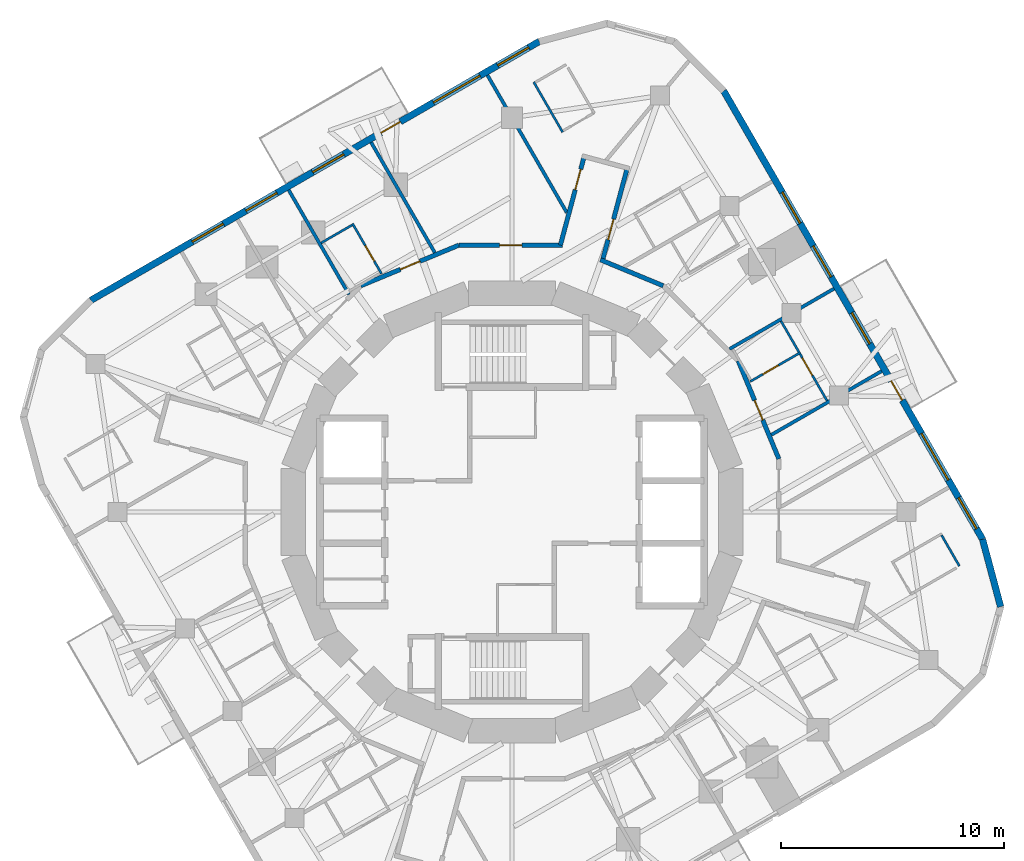
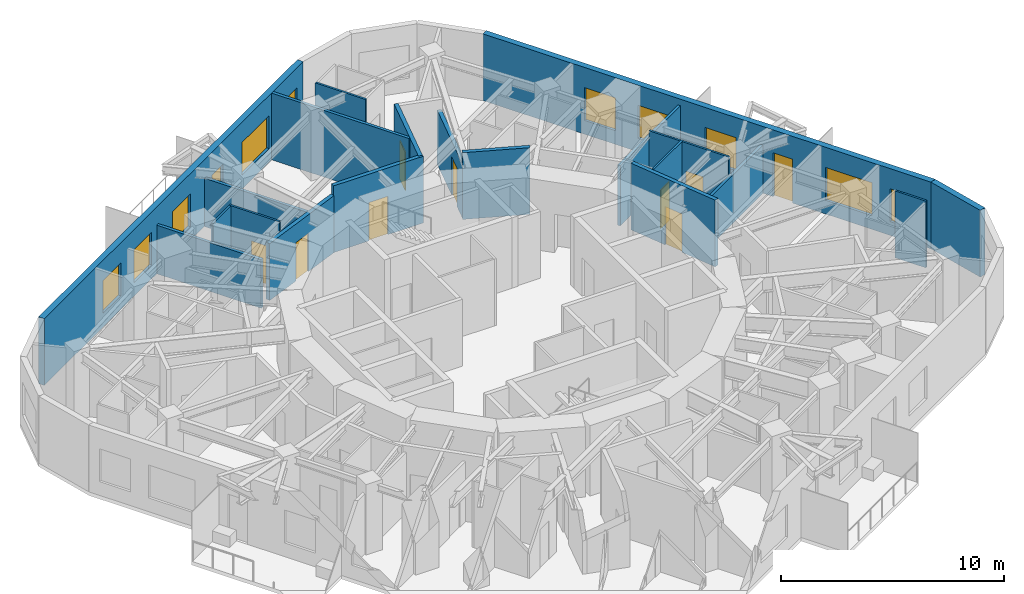
# One storey, part 8 of 11: 21 walls, 10 doors, 10 windows, 20 openings.
"""IFC4 building model written with IfcOpenShell, lengths in metres."""

from ifc_helpers import new_model, si_unit, direction, frame, frame_2d, origin, place, context, subcontext, project, spatial, rectangle, extrude, material, layer, layer_set, type_object, element, fill, save


model = new_model("IFC4")

# Units and contexts
model_context = context("Model", 3, precision=1e-05, world=origin(), true_north=direction((0.0, 1.0)))
body_context = subcontext(model_context, "Body", "Model", "MODEL_VIEW")
ifc_project = project(units=[si_unit("LENGTHUNIT", "METRE"), si_unit("AREAUNIT", "SQUARE_METRE"), si_unit("VOLUMEUNIT", "CUBIC_METRE"), si_unit("PLANEANGLEUNIT", "RADIAN"), si_unit("MASSUNIT", "GRAM", prefix="KILO")], contexts=[model_context])

# Site, building, storey
site_placement = place(None, origin())
site = spatial("IfcSite", under=ifc_project, at=site_placement, CompositionType="ELEMENT")
building_placement = place(site_placement, origin())
building = spatial("IfcBuilding", under=site, at=building_placement, Name="Nakasero Lantern House", CompositionType="ELEMENT")
storey_placement = place(building_placement, frame((0.0, 0.0, 238.5)))
storey = spatial("IfcBuildingStorey", under=building, at=storey_placement, Name="L58", CompositionType="ELEMENT", Elevation=238.5)

# Wall, opening, door
ifc_material_1 = material(Name="Blockwork", Category="masonry")
ifc_layer_1 = layer(ifc_material_1, 0.199951171875)
ifc_layer_set_1 = layer_set([ifc_layer_1], Name="Corridor wall 200")
wall_type_1 = type_object("IfcWallType", Name="Corridor wall 200", PredefinedType="PARTITIONING", material=ifc_layer_set_1)
wall_1_placement = place(storey_placement, frame((-6.773681640625, 10.137451171875, 0.0), z_axis=(0.0, 0.0, 1.0), x_axis=(0.923891735412, 0.382653970627, 0.0)))
wall_1 = element("IfcWall", 1, at=wall_1_placement, inside=storey, type_object=wall_type_1, Name="Corridor wall L58 RC11a", PredefinedType="PARTITIONING", context=body_context, shape_type="SweptSolid", body=[
    extrude(rectangle(XDim=4.757080078125, YDim=0.199951171875, at=frame_2d((2.37841796875, 0.0))), origin(), (0.0, 0.0, 1.0), 3.11328125),
])
opening_1_placement = place(wall_1_placement, frame((1.919921875, 0.0, 0.0)))
opening_1 = element("IfcOpeningElement", 2, at=opening_1_placement, cuts=wall_1, Name="Opening D01", PredefinedType="OPENING", context=body_context, shape_type="SweptSolid", body=[
    extrude(rectangle(XDim=0.949951171875, YDim=2.10009765625, at=frame_2d((0.47509765625, 1.050048828125))), frame((0.0, 0.119873046875, 0.0), z_axis=(0.0, -1.0, 0.0), x_axis=(1.0, 0.0, 0.0)), (0.0, 0.0, 1.0), 0.239990234375),
])
ifc_material_2 = material(Name="Timber C24", Category="wood")
door_type_1 = type_object("IfcDoorType", Name="Bedroom door FD30S 950", OperationType="SINGLE_SWING_LEFT", PredefinedType="DOOR", material=ifc_material_2)
door_1_placement = place(opening_1_placement, origin())
door_1 = element("IfcDoor", 3, at=door_1_placement, inside=storey, type_object=door_type_1, Name="Door L58 D1-03", OperationType="SINGLE_SWING_RIGHT", OverallHeight=2.10009765625, OverallWidth=0.949951171875, PredefinedType="DOOR", context=body_context, shape_type="SweptSolid", body=[
    extrude(rectangle(XDim=0.949951171875, YDim=2.10009765625, at=frame_2d((0.47509765625, 1.050048828125))), frame((0.0, 0.02490234375, 0.0), z_axis=(0.0, -1.0, 0.0), x_axis=(1.0, 0.0, 0.0)), (0.0, 0.0, 1.0), 0.050048828125),
])
fill(opening_1, door_1)

wall_2_placement = place(storey_placement, frame((-2.378662109375, 11.957763671875, 0.0), z_axis=(0.0, 0.0, 1.0), x_axis=(1.0, 0.0, 0.0)))
wall_2 = element("IfcWall", 4, at=wall_2_placement, inside=storey, type_object=wall_type_1, Name="Corridor wall L58 RC12a", PredefinedType="PARTITIONING", context=body_context, shape_type="SweptSolid", body=[
    extrude(rectangle(XDim=4.651123046875, YDim=0.199951171875, at=frame_2d((2.32568359375, 0.0))), origin(), (0.0, 0.0, 1.0), 3.64990234375),
])
opening_2_placement = place(wall_2_placement, frame((1.820068359375, 0.0, 0.0)))
opening_2 = element("IfcOpeningElement", 5, at=opening_2_placement, cuts=wall_2, Name="Opening D03", PredefinedType="OPENING", context=body_context, shape_type="SweptSolid", body=[
    extrude(rectangle(XDim=1.0, YDim=2.10009765625, at=frame_2d((0.5, 1.050048828125))), frame((0.0, 0.119873046875, 0.0), z_axis=(0.0, -1.0, 0.0), x_axis=(1.0, 0.0, 0.0)), (0.0, 0.0, 1.0), 0.239990234375),
])
ifc_material_3 = material(Name="Timber C24", Category="wood")
door_type_2 = type_object("IfcDoorType", Name="Lounge door FD30S 1000", OperationType="SINGLE_SWING_LEFT", PredefinedType="DOOR", material=ifc_material_3)
door_2_placement = place(opening_2_placement, origin())
door_2 = element("IfcDoor", 6, at=door_2_placement, inside=storey, type_object=door_type_2, Name="Door L58 DK1", OperationType="SINGLE_SWING_LEFT", OverallHeight=2.10009765625, OverallWidth=1.0, PredefinedType="DOOR", context=body_context, shape_type="SweptSolid", body=[
    extrude(rectangle(XDim=1.0, YDim=2.10009765625, at=frame_2d((0.5, 1.050048828125))), frame((0.0, 0.02490234375, 0.0), z_axis=(0.0, -1.0, 0.0), x_axis=(1.0, 0.0, 0.0)), (0.0, 0.0, 1.0), 0.050048828125),
])
fill(opening_2, door_2)

# Wall
wall_3_placement = place(storey_placement, frame((3.960205078125, 11.302734375, 0.0), z_axis=(0.0, 0.0, 1.0), x_axis=(0.923890787601, -0.382656259044, 0.0)))
element("IfcWall", 7, at=wall_3_placement, inside=storey, type_object=wall_type_1, Name="Corridor wall L58 RC13a", PredefinedType="PARTITIONING", context=body_context, shape_type="SweptSolid", body=[
    extrude(rectangle(XDim=3.045166015625, YDim=0.199951171875, at=frame_2d((1.5224609375, 0.0))), origin(), (0.0, 0.0, 1.0), 3.64990234375),
])

# Wall, opening, door
wall_4_placement = place(storey_placement, frame((10.137451171875, 6.773681640625, 0.0), z_axis=(0.0, 0.0, 1.0), x_axis=(0.382653970627, -0.923891735412, 0.0)))
wall_4 = element("IfcWall", 8, at=wall_4_placement, inside=storey, type_object=wall_type_1, Name="Corridor wall L58 RC15a", PredefinedType="PARTITIONING", context=body_context, shape_type="SweptSolid", body=[
    extrude(rectangle(XDim=4.757080078125, YDim=0.199951171875, at=frame_2d((2.37841796875, 0.0))), origin(), (0.0, 0.0, 1.0), 3.64990234375),
])
opening_3_placement = place(wall_4_placement, frame((1.919921875, 0.0, 0.0)))
opening_3 = element("IfcOpeningElement", 9, at=opening_3_placement, cuts=wall_4, Name="Opening D01", PredefinedType="OPENING", context=body_context, shape_type="SweptSolid", body=[
    extrude(rectangle(XDim=0.949951171875, YDim=2.10009765625, at=frame_2d((0.47509765625, 1.050048828125))), frame((0.0, 0.119873046875, 0.0), z_axis=(0.0, -1.0, 0.0), x_axis=(1.0, 0.0, 0.0)), (0.0, 0.0, 1.0), 0.239990234375),
])
door_3_placement = place(opening_3_placement, origin())
door_3 = element("IfcDoor", 10, at=door_3_placement, inside=storey, type_object=door_type_1, Name="Door L58 D0-03", OperationType="SINGLE_SWING_RIGHT", OverallHeight=2.10009765625, OverallWidth=0.949951171875, PredefinedType="DOOR", context=body_context, shape_type="SweptSolid", body=[
    extrude(rectangle(XDim=0.949951171875, YDim=2.10009765625, at=frame_2d((0.47509765625, 1.050048828125))), frame((0.0, 0.02490234375, 0.0), z_axis=(0.0, -1.0, 0.0), x_axis=(1.0, 0.0, 0.0)), (0.0, 0.0, 1.0), 0.050048828125),
])
fill(opening_3, door_3)

wall_5_placement = place(storey_placement, frame((4.053466796875, 11.26416015625, 0.0), z_axis=(0.0, 0.0, 1.0), x_axis=(0.258841611204, 0.965919779438, 0.0)))
wall_5 = element("IfcWall", 11, at=wall_5_placement, inside=storey, type_object=wall_type_1, Name="Corridor wall L58 SP0a", PredefinedType="PARTITIONING", context=body_context, shape_type="SweptSolid", body=[
    extrude(rectangle(XDim=4.394287109375, YDim=0.199951171875, at=frame_2d((2.197265625, 0.0))), origin(), (0.0, 0.0, 1.0), 2.95703125),
])
opening_4_placement = place(wall_5_placement, frame((0.969970703125, 0.0, 0.0)))
opening_4 = element("IfcOpeningElement", 12, at=opening_4_placement, cuts=wall_5, Name="Opening D01", PredefinedType="OPENING", context=body_context, shape_type="SweptSolid", body=[
    extrude(rectangle(XDim=0.949951171875, YDim=2.10009765625, at=frame_2d((0.47509765625, 1.050048828125))), frame((0.0, 0.119873046875, 0.0), z_axis=(0.0, -1.0, 0.0), x_axis=(1.0, 0.0, 0.0)), (0.0, 0.0, 1.0), 0.239990234375),
])
door_4_placement = place(opening_4_placement, origin())
door_4 = element("IfcDoor", 13, at=door_4_placement, inside=storey, type_object=door_type_1, Name="Door L58 D0-06", OperationType="SINGLE_SWING_LEFT", OverallHeight=2.10009765625, OverallWidth=0.949951171875, PredefinedType="DOOR", context=body_context, shape_type="SweptSolid", body=[
    extrude(rectangle(XDim=0.949951171875, YDim=2.10009765625, at=frame_2d((0.47509765625, 1.050048828125))), frame((0.0, 0.02490234375, 0.0), z_axis=(0.0, -1.0, 0.0), x_axis=(1.0, 0.0, 0.0)), (0.0, 0.0, 1.0), 0.050048828125),
])
fill(opening_4, door_4)

wall_6_placement = place(storey_placement, frame((2.168701171875, 11.957763671875, 0.0), z_axis=(0.0, 0.0, 1.0), x_axis=(0.258852936168, 0.965916744568, 0.0)))
wall_6 = element("IfcWall", 14, at=wall_6_placement, inside=storey, type_object=wall_type_1, Name="Corridor wall L58 SP0b", PredefinedType="PARTITIONING", context=body_context, shape_type="SweptSolid", body=[
    extrude(rectangle(XDim=4.212158203125, YDim=0.199951171875, at=frame_2d((2.10595703125, 0.0))), origin(), (0.0, 0.0, 1.0), 3.64990234375),
])
opening_5_placement = place(wall_6_placement, frame((2.570068359375, 0.0, 0.0)))
opening_5 = element("IfcOpeningElement", 15, at=opening_5_placement, cuts=wall_6, Name="Opening D01", PredefinedType="OPENING", context=body_context, shape_type="SweptSolid", body=[
    extrude(rectangle(XDim=0.949951171875, YDim=2.10009765625, at=frame_2d((0.47509765625, 1.050048828125))), frame((0.0, 0.119873046875, 0.0), z_axis=(0.0, -1.0, 0.0), x_axis=(1.0, 0.0, 0.0)), (0.0, 0.0, 1.0), 0.239990234375),
])
door_5_placement = place(opening_5_placement, origin())
door_5 = element("IfcDoor", 16, at=door_5_placement, inside=storey, type_object=door_type_1, Name="Door L58 D1-00", OperationType="SINGLE_SWING_RIGHT", OverallHeight=2.10009765625, OverallWidth=0.949951171875, PredefinedType="DOOR", context=body_context, shape_type="SweptSolid", body=[
    extrude(rectangle(XDim=0.949951171875, YDim=2.10009765625, at=frame_2d((0.47509765625, 1.050048828125))), frame((0.0, 0.02490234375, 0.0), z_axis=(0.0, -1.0, 0.0), x_axis=(1.0, 0.0, 0.0)), (0.0, 0.0, 1.0), 0.050048828125),
])
fill(opening_5, door_5)

# Wall
ifc_material_4 = material(Name="Blockwork", Category="masonry")
ifc_layer_2 = layer(ifc_material_4, 0.10009765625)
ifc_layer_set_2 = layer_set([ifc_layer_2], Name="En-suite wall 100")
wall_type_2 = type_object("IfcWallType", Name="En-suite wall 100", PredefinedType="PARTITIONING", material=ifc_layer_set_2)
wall_7_placement = place(storey_placement, frame((20.048828125, -2.425537109375, 0.0), z_axis=(0.0, 0.0, 1.0), x_axis=(-0.500061482766, 0.865989903783, 0.0)))
element("IfcWall", 17, at=wall_7_placement, inside=storey, type_object=wall_type_2, Name="En-suite wall L58 EE0-00", PredefinedType="PARTITIONING", context=body_context, shape_type="SweptSolid", body=[
    extrude(rectangle(XDim=1.599853515625, YDim=0.10009765625, at=frame_2d((0.7998046875, 0.0))), origin(), (0.0, 0.0, 1.0), 3.64990234375),
])

# Wall, opening, door
wall_8_placement = place(storey_placement, frame((10.674560546875, 5.846435546875, 0.0), z_axis=(0.0, 0.0, 1.0), x_axis=(0.866021400173, 0.500006934395, 0.0)))
wall_8 = element("IfcWall", 18, at=wall_8_placement, inside=storey, type_object=wall_type_2, Name="En-suite wall L58 ES0-03", PredefinedType="PARTITIONING", context=body_context, shape_type="SweptSolid", body=[
    extrude(rectangle(XDim=2.60009765625, YDim=0.10009765625, at=frame_2d((1.300048828125, 0.0))), origin(), (0.0, 0.0, 1.0), 3.64990234375),
])
opening_6_placement = place(wall_8_placement, frame((0.64990234375, 0.0, 0.0)))
opening_6 = element("IfcOpeningElement", 19, at=opening_6_placement, cuts=wall_8, Name="Opening D02", PredefinedType="OPENING", context=body_context, shape_type="SweptSolid", body=[
    extrude(rectangle(XDim=0.800048828125, YDim=2.10009765625, at=frame_2d((0.39990234375, 1.050048828125))), frame((0.0, 0.070068359375, 0.0), z_axis=(0.0, -1.0, 0.0), x_axis=(1.0, 0.0, 0.0)), (0.0, 0.0, 1.0), 0.14013671875),
])
ifc_material_5 = material(Name="Timber C24", Category="wood")
door_type_3 = type_object("IfcDoorType", Name="En-suite door 800", OperationType="SINGLE_SWING_RIGHT", PredefinedType="DOOR", material=ifc_material_5)
door_6_placement = place(opening_6_placement, origin())
door_6 = element("IfcDoor", 20, at=door_6_placement, inside=storey, type_object=door_type_3, Name="Door L58 DE0-03", OperationType="SINGLE_SWING_LEFT", OverallHeight=2.10009765625, OverallWidth=0.800048828125, PredefinedType="DOOR", context=body_context, shape_type="SweptSolid", body=[
    extrude(rectangle(XDim=0.800048828125, YDim=2.10009765625, at=frame_2d((0.39990234375, 1.050048828125))), frame((0.0, 0.02490234375, 0.0), z_axis=(0.0, -1.0, 0.0), x_axis=(1.0, 0.0, 0.0)), (0.0, 0.0, 1.0), 0.050048828125),
])
fill(opening_6, door_6)

# Walls
wall_9_placement = place(storey_placement, frame((12.85791015625, 7.164794921875, 0.0), z_axis=(0.0, 0.0, 1.0), x_axis=(-0.499880961361, 0.866094119867, 0.0)))
element("IfcWall", 21, at=wall_9_placement, inside=storey, type_object=wall_type_2, Name="En-suite wall L58 EE0-03", PredefinedType="PARTITIONING", context=body_context, shape_type="SweptSolid", body=[
    extrude(rectangle(XDim=1.60009765625, YDim=0.10009765625, at=frame_2d((0.800048828125, 0.0))), origin(), (0.0, 0.0, 1.0), 3.64990234375),
])
wall_10_placement = place(storey_placement, frame((2.271728515625, 17.015380859375, 0.0), z_axis=(0.0, 0.0, 1.0), x_axis=(-0.500006934395, 0.866021400173, 0.0)))
element("IfcWall", 22, at=wall_10_placement, inside=storey, type_object=wall_type_2, Name="En-suite wall L58 ES1-00", PredefinedType="PARTITIONING", context=body_context, shape_type="SweptSolid", body=[
    extrude(rectangle(XDim=2.60009765625, YDim=0.10009765625, at=frame_2d((1.300048828125, 0.0))), origin(), (0.0, 0.0, 1.0), 3.64990234375),
])

# Wall, opening, door
wall_11_placement = place(storey_placement, frame((-5.846435546875, 10.674560546875, 0.0), z_axis=(0.0, 0.0, 1.0), x_axis=(-0.500006934395, 0.866021400173, 0.0)))
wall_11 = element("IfcWall", 23, at=wall_11_placement, inside=storey, type_object=wall_type_2, Name="En-suite wall L58 ES1-03", PredefinedType="PARTITIONING", context=body_context, shape_type="SweptSolid", body=[
    extrude(rectangle(XDim=2.60009765625, YDim=0.10009765625, at=frame_2d((1.300048828125, 0.0))), origin(), (0.0, 0.0, 1.0), 3.64990234375),
])
opening_7_placement = place(wall_11_placement, frame((0.64990234375, 0.0, 0.0)))
opening_7 = element("IfcOpeningElement", 24, at=opening_7_placement, cuts=wall_11, Name="Opening D02", PredefinedType="OPENING", context=body_context, shape_type="SweptSolid", body=[
    extrude(rectangle(XDim=0.800048828125, YDim=2.10009765625, at=frame_2d((0.39990234375, 1.050048828125))), frame((0.0, 0.070068359375, 0.0), z_axis=(0.0, -1.0, 0.0), x_axis=(1.0, 0.0, 0.0)), (0.0, 0.0, 1.0), 0.14013671875),
])
door_7_placement = place(opening_7_placement, origin())
door_7 = element("IfcDoor", 25, at=door_7_placement, inside=storey, type_object=door_type_3, Name="Door L58 DE1-03", OperationType="SINGLE_SWING_LEFT", OverallHeight=2.10009765625, OverallWidth=0.800048828125, PredefinedType="DOOR", context=body_context, shape_type="SweptSolid", body=[
    extrude(rectangle(XDim=0.800048828125, YDim=2.10009765625, at=frame_2d((0.39990234375, 1.050048828125))), frame((0.0, 0.02490234375, 0.0), z_axis=(0.0, -1.0, 0.0), x_axis=(1.0, 0.0, 0.0)), (0.0, 0.0, 1.0), 0.050048828125),
])
fill(opening_7, door_7)

# Wall
wall_12_placement = place(storey_placement, frame((-7.164794921875, 12.85791015625, 0.0), z_axis=(0.0, 0.0, 1.0), x_axis=(-0.866094119867, -0.499880961361, 0.0)))
element("IfcWall", 26, at=wall_12_placement, inside=storey, type_object=wall_type_2, Name="En-suite wall L58 EE1-03", PredefinedType="PARTITIONING", context=body_context, shape_type="SweptSolid", body=[
    extrude(rectangle(XDim=1.60009765625, YDim=0.10009765625, at=frame_2d((0.800048828125, 0.0))), origin(), (0.0, 0.0, 1.0), 3.64990234375),
])

# Wall, opening, door
wall_13_placement = place(storey_placement, frame((14.1162109375, 4.985595703125, 0.0), z_axis=(0.0, 0.0, 1.0), x_axis=(-0.500040226184, 0.86600217794, 0.0)))
wall_13 = element("IfcWall", 27, at=wall_13_placement, inside=storey, type_object=wall_type_2, Name="En-suite wall L58 EL0-03", PredefinedType="PARTITIONING", context=body_context, shape_type="SweptSolid", body=[
    extrude(rectangle(XDim=2.416259765625, YDim=0.10009765625, at=frame_2d((1.2080078125, 0.0))), origin(), (0.0, 0.0, 1.0), 3.64990234375),
])
opening_8_placement = place(wall_13_placement, frame((1.31640625, 0.0, 0.0)))
opening_8 = element("IfcOpeningElement", 28, at=opening_8_placement, cuts=wall_13, Name="Opening D17", PredefinedType="OPENING", context=body_context, shape_type="SweptSolid", body=[
    extrude(rectangle(XDim=0.89990234375, YDim=2.10009765625, at=frame_2d((0.449951171875, 1.050048828125))), frame((0.0, 0.070068359375, 0.0), z_axis=(0.0, -1.0, 0.0), x_axis=(1.0, 0.0, 0.0)), (0.0, 0.0, 1.0), 0.14013671875),
])
ifc_material_6 = material(Name="Timber C24", Category="wood")
door_type_4 = type_object("IfcDoorType", Name="Bedroom door FD30S 900", OperationType="SINGLE_SWING_LEFT", PredefinedType="DOOR", material=ifc_material_6)
door_8_placement = place(opening_8_placement, origin())
door_8 = element("IfcDoor", 29, at=door_8_placement, inside=storey, type_object=door_type_4, Name="Door L58 DL0-03", OperationType="SINGLE_SWING_RIGHT", OverallHeight=2.10009765625, OverallWidth=0.89990234375, PredefinedType="DOOR", context=body_context, shape_type="SweptSolid", body=[
    extrude(rectangle(XDim=0.89990234375, YDim=2.10009765625, at=frame_2d((0.449951171875, 1.050048828125))), frame((0.0, 0.02490234375, 0.0), z_axis=(0.0, -1.0, 0.0), x_axis=(1.0, 0.0, 0.0)), (0.0, 0.0, 1.0), 0.050048828125),
])
fill(opening_8, door_8)

# Wall, openings, door, windows
ifc_material_7 = material(Name="Aluminium rainscreen on blockwork", Category="masonry")
ifc_layer_3 = layer(ifc_material_7, 0.300048828125)
ifc_layer_set_3 = layer_set([ifc_layer_3], Name="Facade wall 300")
wall_type_3 = type_object("IfcWallType", Name="Facade wall 300", PredefinedType="SOLIDWALL", material=ifc_layer_set_3)
wall_14_placement = place(storey_placement, frame((21.08544921875, -1.220947265625, 0.0), z_axis=(0.0, 0.0, 1.0), x_axis=(-0.500003016864, 0.86602366199, 0.0)))
wall_14 = element("IfcWall", 30, at=wall_14_placement, inside=storey, type_object=wall_type_3, Name="Facade wall L58 FW0S", PredefinedType="SOLIDWALL", context=body_context, shape_type="SweptSolid", body=[
    extrude(rectangle(XDim=23.199951171875, YDim=0.300048828125, at=frame_2d((11.60009765625, 0.0))), origin(), (0.0, 0.0, 1.0), 3.64990234375),
])
opening_9_placement = place(wall_14_placement, frame((0.5458984375, 0.0, 0.75)))
opening_9 = element("IfcOpeningElement", 31, at=opening_9_placement, cuts=wall_14, Name="Opening W01", PredefinedType="OPENING", context=body_context, shape_type="SweptSolid", body=[
    extrude(rectangle(XDim=1.60009765625, YDim=1.800048828125, at=frame_2d((0.800048828125, 0.89990234375))), frame((0.0, 0.169921875, 0.0), z_axis=(0.0, -1.0, 0.0), x_axis=(1.0, 0.0, 0.0)), (0.0, 0.0, 1.0), 0.340087890625),
])
opening_10_placement = place(wall_14_placement, frame((10.11767578125, 0.0, 0.75)))
opening_10 = element("IfcOpeningElement", 32, at=opening_10_placement, cuts=wall_14, Name="Opening W01", PredefinedType="OPENING", context=body_context, shape_type="SweptSolid", body=[
    extrude(rectangle(XDim=1.60009765625, YDim=1.800048828125, at=frame_2d((0.800048828125, 0.89990234375))), frame((0.0, 0.169921875, 0.0), z_axis=(0.0, -1.0, 0.0), x_axis=(1.0, 0.0, 0.0)), (0.0, 0.0, 1.0), 0.340087890625),
])
opening_11_placement = place(wall_14_placement, frame((13.5751953125, 0.0, 0.75)))
opening_11 = element("IfcOpeningElement", 33, at=opening_11_placement, cuts=wall_14, Name="Opening W01", PredefinedType="OPENING", context=body_context, shape_type="SweptSolid", body=[
    extrude(rectangle(XDim=1.60009765625, YDim=1.800048828125, at=frame_2d((0.800048828125, 0.89990234375))), frame((0.0, 0.169921875, 0.0), z_axis=(0.0, -1.0, 0.0), x_axis=(1.0, 0.0, 0.0)), (0.0, 0.0, 1.0), 0.340087890625),
])
opening_12_placement = place(wall_14_placement, frame((16.349609375, 0.0, 0.75)))
opening_12 = element("IfcOpeningElement", 34, at=opening_12_placement, cuts=wall_14, Name="Opening W01", PredefinedType="OPENING", context=body_context, shape_type="SweptSolid", body=[
    extrude(rectangle(XDim=1.60009765625, YDim=1.800048828125, at=frame_2d((0.800048828125, 0.89990234375))), frame((0.0, 0.169921875, 0.0), z_axis=(0.0, -1.0, 0.0), x_axis=(1.0, 0.0, 0.0)), (0.0, 0.0, 1.0), 0.340087890625),
])
opening_13_placement = place(wall_14_placement, frame((3.071044921875, 0.0, 0.75)))
opening_13 = element("IfcOpeningElement", 35, at=opening_13_placement, cuts=wall_14, Name="Opening W03", PredefinedType="OPENING", context=body_context, shape_type="SweptSolid", body=[
    extrude(rectangle(XDim=2.39990234375, YDim=1.800048828125, at=frame_2d((1.199951171875, 0.89990234375))), frame((0.0, 0.169921875, 0.0), z_axis=(0.0, -1.0, 0.0), x_axis=(1.0, 0.0, 0.0)), (0.0, 0.0, 1.0), 0.340087890625),
])
opening_14_placement = place(wall_14_placement, frame((7.1904296875, 0.0, 0.0)))
opening_14 = element("IfcOpeningElement", 36, at=opening_14_placement, cuts=wall_14, Name="Opening D04", PredefinedType="OPENING", context=body_context, shape_type="SweptSolid", body=[
    extrude(rectangle(XDim=1.0, YDim=2.39990234375, at=frame_2d((0.5, 1.199951171875))), frame((0.0, 0.169921875, 0.0), z_axis=(0.0, -1.0, 0.0), x_axis=(1.0, 0.0, 0.0)), (0.0, 0.0, 1.0), 0.340087890625),
])
ifc_material_8 = material(Name="Aluminium 6063-T6 and glass", Category="aluminium")
door_type_5 = type_object("IfcDoorType", Name="Balcony door 1000x2400", OperationType="SINGLE_SWING_RIGHT", PredefinedType="DOOR", material=ifc_material_8)
door_9_placement = place(opening_14_placement, origin())
door_9 = element("IfcDoor", 37, at=door_9_placement, inside=storey, type_object=door_type_5, Name="Balcony door L58 DB0", OperationType="SINGLE_SWING_RIGHT", OverallHeight=2.39990234375, OverallWidth=1.0, PredefinedType="DOOR", context=body_context, shape_type="SweptSolid", body=[
    extrude(rectangle(XDim=1.0, YDim=2.39990234375, at=frame_2d((0.5, 1.199951171875))), frame((0.0, 0.02490234375, 0.0), z_axis=(0.0, -1.0, 0.0), x_axis=(1.0, 0.0, 0.0)), (0.0, 0.0, 1.0), 0.050048828125),
])
fill(opening_14, door_9)
ifc_material_9 = material(Name="Aluminium 6063-T6 and glass", Category="aluminium")
window_type_1 = type_object("IfcWindowType", Name="Bedroom window 1600x1800", PartitioningType="SINGLE_PANEL", PredefinedType="WINDOW", material=ifc_material_9)
window_1_placement = place(opening_9_placement, origin())
window_1 = element("IfcWindow", 38, at=window_1_placement, inside=storey, type_object=window_type_1, Name="Window L58 WN0-00", OverallHeight=1.800048828125, OverallWidth=1.60009765625, PartitioningType="SINGLE_PANEL", PredefinedType="WINDOW", context=body_context, shape_type="SweptSolid", body=[
    extrude(rectangle(XDim=1.60009765625, YDim=1.800048828125, at=frame_2d((0.800048828125, 0.89990234375))), frame((0.0, 0.030029296875, 0.0), z_axis=(0.0, -1.0, 0.0), x_axis=(1.0, 0.0, 0.0)), (0.0, 0.0, 1.0), 0.06005859375),
])
fill(opening_9, window_1)
window_2_placement = place(opening_10_placement, origin())
window_2 = element("IfcWindow", 39, at=window_2_placement, inside=storey, type_object=window_type_1, Name="Window L58 WN0-03", OverallHeight=1.800048828125, OverallWidth=1.60009765625, PartitioningType="SINGLE_PANEL", PredefinedType="WINDOW", context=body_context, shape_type="SweptSolid", body=[
    extrude(rectangle(XDim=1.60009765625, YDim=1.800048828125, at=frame_2d((0.800048828125, 0.89990234375))), frame((0.0, 0.030029296875, 0.0), z_axis=(0.0, -1.0, 0.0), x_axis=(1.0, 0.0, 0.0)), (0.0, 0.0, 1.0), 0.06005859375),
])
fill(opening_10, window_2)
window_3_placement = place(opening_11_placement, origin())
window_3 = element("IfcWindow", 40, at=window_3_placement, inside=storey, type_object=window_type_1, Name="Window L58 WN0-04", OverallHeight=1.800048828125, OverallWidth=1.60009765625, PartitioningType="SINGLE_PANEL", PredefinedType="WINDOW", context=body_context, shape_type="SweptSolid", body=[
    extrude(rectangle(XDim=1.60009765625, YDim=1.800048828125, at=frame_2d((0.800048828125, 0.89990234375))), frame((0.0, 0.030029296875, 0.0), z_axis=(0.0, -1.0, 0.0), x_axis=(1.0, 0.0, 0.0)), (0.0, 0.0, 1.0), 0.06005859375),
])
fill(opening_11, window_3)
window_4_placement = place(opening_12_placement, origin())
window_4 = element("IfcWindow", 41, at=window_4_placement, inside=storey, type_object=window_type_1, Name="Window L58 WN0-05", OverallHeight=1.800048828125, OverallWidth=1.60009765625, PartitioningType="SINGLE_PANEL", PredefinedType="WINDOW", context=body_context, shape_type="SweptSolid", body=[
    extrude(rectangle(XDim=1.60009765625, YDim=1.800048828125, at=frame_2d((0.800048828125, 0.89990234375))), frame((0.0, 0.030029296875, 0.0), z_axis=(0.0, -1.0, 0.0), x_axis=(1.0, 0.0, 0.0)), (0.0, 0.0, 1.0), 0.06005859375),
])
fill(opening_12, window_4)
ifc_material_10 = material(Name="Aluminium 6063-T6 and glass", Category="aluminium")
window_type_2 = type_object("IfcWindowType", Name="Lounge window 2400x1800", PartitioningType="SINGLE_PANEL", PredefinedType="WINDOW", material=ifc_material_10)
window_5_placement = place(opening_13_placement, origin())
window_5 = element("IfcWindow", 42, at=window_5_placement, inside=storey, type_object=window_type_2, Name="Window L58 WK0", OverallHeight=1.800048828125, OverallWidth=2.39990234375, PartitioningType="SINGLE_PANEL", PredefinedType="WINDOW", context=body_context, shape_type="SweptSolid", body=[
    extrude(rectangle(XDim=2.39990234375, YDim=1.800048828125, at=frame_2d((1.199951171875, 0.89990234375))), frame((0.0, 0.030029296875, 0.0), z_axis=(0.0, -1.0, 0.0), x_axis=(1.0, 0.0, 0.0)), (0.0, 0.0, 1.0), 0.06005859375),
])
fill(opening_13, window_5)

wall_15_placement = place(storey_placement, frame((1.220947265625, 21.08544921875, 0.0), z_axis=(0.0, 0.0, 1.0), x_axis=(-0.86602366199, -0.500003016864, 0.0)))
wall_15 = element("IfcWall", 43, at=wall_15_placement, inside=storey, type_object=wall_type_3, Name="Facade wall L58 FW1S", PredefinedType="SOLIDWALL", context=body_context, shape_type="SweptSolid", body=[
    extrude(rectangle(XDim=23.199951171875, YDim=0.300048828125, at=frame_2d((11.60009765625, 0.0))), origin(), (0.0, 0.0, 1.0), 3.64990234375),
])
opening_15_placement = place(wall_15_placement, frame((0.5458984375, 0.0, 0.75)))
opening_15 = element("IfcOpeningElement", 44, at=opening_15_placement, cuts=wall_15, Name="Opening W01", PredefinedType="OPENING", context=body_context, shape_type="SweptSolid", body=[
    extrude(rectangle(XDim=1.60009765625, YDim=1.800048828125, at=frame_2d((0.800048828125, 0.89990234375))), frame((0.0, 0.169921875, 0.0), z_axis=(0.0, -1.0, 0.0), x_axis=(1.0, 0.0, 0.0)), (0.0, 0.0, 1.0), 0.340087890625),
])
opening_16_placement = place(wall_15_placement, frame((10.11767578125, 0.0, 0.75)))
opening_16 = element("IfcOpeningElement", 45, at=opening_16_placement, cuts=wall_15, Name="Opening W01", PredefinedType="OPENING", context=body_context, shape_type="SweptSolid", body=[
    extrude(rectangle(XDim=1.60009765625, YDim=1.800048828125, at=frame_2d((0.800048828125, 0.89990234375))), frame((0.0, 0.169921875, 0.0), z_axis=(0.0, -1.0, 0.0), x_axis=(1.0, 0.0, 0.0)), (0.0, 0.0, 1.0), 0.340087890625),
])
opening_17_placement = place(wall_15_placement, frame((13.5751953125, 0.0, 0.75)))
opening_17 = element("IfcOpeningElement", 46, at=opening_17_placement, cuts=wall_15, Name="Opening W01", PredefinedType="OPENING", context=body_context, shape_type="SweptSolid", body=[
    extrude(rectangle(XDim=1.60009765625, YDim=1.800048828125, at=frame_2d((0.800048828125, 0.89990234375))), frame((0.0, 0.169921875, 0.0), z_axis=(0.0, -1.0, 0.0), x_axis=(1.0, 0.0, 0.0)), (0.0, 0.0, 1.0), 0.340087890625),
])
opening_18_placement = place(wall_15_placement, frame((16.349609375, 0.0, 0.75)))
opening_18 = element("IfcOpeningElement", 47, at=opening_18_placement, cuts=wall_15, Name="Opening W01", PredefinedType="OPENING", context=body_context, shape_type="SweptSolid", body=[
    extrude(rectangle(XDim=1.60009765625, YDim=1.800048828125, at=frame_2d((0.800048828125, 0.89990234375))), frame((0.0, 0.169921875, 0.0), z_axis=(0.0, -1.0, 0.0), x_axis=(1.0, 0.0, 0.0)), (0.0, 0.0, 1.0), 0.340087890625),
])
opening_19_placement = place(wall_15_placement, frame((3.071044921875, 0.0, 0.75)))
opening_19 = element("IfcOpeningElement", 48, at=opening_19_placement, cuts=wall_15, Name="Opening W03", PredefinedType="OPENING", context=body_context, shape_type="SweptSolid", body=[
    extrude(rectangle(XDim=2.39990234375, YDim=1.800048828125, at=frame_2d((1.199951171875, 0.89990234375))), frame((0.0, 0.169921875, 0.0), z_axis=(0.0, -1.0, 0.0), x_axis=(1.0, 0.0, 0.0)), (0.0, 0.0, 1.0), 0.340087890625),
])
opening_20_placement = place(wall_15_placement, frame((7.1904296875, 0.0, 0.0)))
opening_20 = element("IfcOpeningElement", 49, at=opening_20_placement, cuts=wall_15, Name="Opening D04", PredefinedType="OPENING", context=body_context, shape_type="SweptSolid", body=[
    extrude(rectangle(XDim=1.0, YDim=2.39990234375, at=frame_2d((0.5, 1.199951171875))), frame((0.0, 0.169921875, 0.0), z_axis=(0.0, -1.0, 0.0), x_axis=(1.0, 0.0, 0.0)), (0.0, 0.0, 1.0), 0.340087890625),
])
door_10_placement = place(opening_20_placement, origin())
door_10 = element("IfcDoor", 50, at=door_10_placement, inside=storey, type_object=door_type_5, Name="Balcony door L58 DB1", OperationType="SINGLE_SWING_RIGHT", OverallHeight=2.39990234375, OverallWidth=1.0, PredefinedType="DOOR", context=body_context, shape_type="SweptSolid", body=[
    extrude(rectangle(XDim=1.0, YDim=2.39990234375, at=frame_2d((0.5, 1.199951171875))), frame((0.0, 0.02490234375, 0.0), z_axis=(0.0, -1.0, 0.0), x_axis=(1.0, 0.0, 0.0)), (0.0, 0.0, 1.0), 0.050048828125),
])
fill(opening_20, door_10)
window_6_placement = place(opening_15_placement, origin())
window_6 = element("IfcWindow", 51, at=window_6_placement, inside=storey, type_object=window_type_1, Name="Window L58 WN1-00", OverallHeight=1.800048828125, OverallWidth=1.60009765625, PartitioningType="SINGLE_PANEL", PredefinedType="WINDOW", context=body_context, shape_type="SweptSolid", body=[
    extrude(rectangle(XDim=1.60009765625, YDim=1.800048828125, at=frame_2d((0.800048828125, 0.89990234375))), frame((0.0, 0.030029296875, 0.0), z_axis=(0.0, -1.0, 0.0), x_axis=(1.0, 0.0, 0.0)), (0.0, 0.0, 1.0), 0.06005859375),
])
fill(opening_15, window_6)
window_7_placement = place(opening_16_placement, origin())
window_7 = element("IfcWindow", 52, at=window_7_placement, inside=storey, type_object=window_type_1, Name="Window L58 WN1-03", OverallHeight=1.800048828125, OverallWidth=1.60009765625, PartitioningType="SINGLE_PANEL", PredefinedType="WINDOW", context=body_context, shape_type="SweptSolid", body=[
    extrude(rectangle(XDim=1.60009765625, YDim=1.800048828125, at=frame_2d((0.800048828125, 0.89990234375))), frame((0.0, 0.030029296875, 0.0), z_axis=(0.0, -1.0, 0.0), x_axis=(1.0, 0.0, 0.0)), (0.0, 0.0, 1.0), 0.06005859375),
])
fill(opening_16, window_7)
window_8_placement = place(opening_17_placement, origin())
window_8 = element("IfcWindow", 53, at=window_8_placement, inside=storey, type_object=window_type_1, Name="Window L58 WN1-04", OverallHeight=1.800048828125, OverallWidth=1.60009765625, PartitioningType="SINGLE_PANEL", PredefinedType="WINDOW", context=body_context, shape_type="SweptSolid", body=[
    extrude(rectangle(XDim=1.60009765625, YDim=1.800048828125, at=frame_2d((0.800048828125, 0.89990234375))), frame((0.0, 0.030029296875, 0.0), z_axis=(0.0, -1.0, 0.0), x_axis=(1.0, 0.0, 0.0)), (0.0, 0.0, 1.0), 0.06005859375),
])
fill(opening_17, window_8)
window_9_placement = place(opening_18_placement, origin())
window_9 = element("IfcWindow", 54, at=window_9_placement, inside=storey, type_object=window_type_1, Name="Window L58 WN1-05", OverallHeight=1.800048828125, OverallWidth=1.60009765625, PartitioningType="SINGLE_PANEL", PredefinedType="WINDOW", context=body_context, shape_type="SweptSolid", body=[
    extrude(rectangle(XDim=1.60009765625, YDim=1.800048828125, at=frame_2d((0.800048828125, 0.89990234375))), frame((0.0, 0.030029296875, 0.0), z_axis=(0.0, -1.0, 0.0), x_axis=(1.0, 0.0, 0.0)), (0.0, 0.0, 1.0), 0.06005859375),
])
fill(opening_18, window_9)
window_10_placement = place(opening_19_placement, origin())
window_10 = element("IfcWindow", 55, at=window_10_placement, inside=storey, type_object=window_type_2, Name="Window L58 WK1", OverallHeight=1.800048828125, OverallWidth=2.39990234375, PartitioningType="SINGLE_PANEL", PredefinedType="WINDOW", context=body_context, shape_type="SweptSolid", body=[
    extrude(rectangle(XDim=2.39990234375, YDim=1.800048828125, at=frame_2d((1.199951171875, 0.89990234375))), frame((0.0, 0.030029296875, 0.0), z_axis=(0.0, -1.0, 0.0), x_axis=(1.0, 0.0, 0.0)), (0.0, 0.0, 1.0), 0.06005859375),
])
fill(opening_19, window_10)

# Walls
wall_16_placement = place(storey_placement, frame((21.89599609375, -4.245849609375, 0.0), z_axis=(0.0, 0.0, 1.0), x_axis=(-0.258827010283, 0.96592369199, 0.0)))
element("IfcWall", 56, at=wall_16_placement, inside=storey, type_object=wall_type_3, Name="Facade wall L58 FW3C3", PredefinedType="SOLIDWALL", context=body_context, shape_type="SweptSolid", body=[
    extrude(rectangle(XDim=3.131591796875, YDim=0.300048828125, at=frame_2d((1.56591796875, 0.0))), origin(), (0.0, 0.0, 1.0), 3.64990234375),
])
ifc_material_11 = material(Name="Blockwork", Category="masonry")
ifc_layer_4 = layer(ifc_material_11, 0.14990234375)
ifc_layer_set_4 = layer_set([ifc_layer_4], Name="Party wall 150")
wall_type_4 = type_object("IfcWallType", Name="Party wall 150", PredefinedType="PARTITIONING", material=ifc_layer_set_4)
wall_17_placement = place(storey_placement, frame((11.619140625, 3.457275390625, 0.0), z_axis=(0.0, 0.0, 1.0), x_axis=(0.866023927955, 0.500002556202, 0.0)))
element("IfcWall", 57, at=wall_17_placement, inside=storey, type_object=wall_type_4, Name="Party wall L58 PW0-03", PredefinedType="PARTITIONING", context=body_context, shape_type="SweptSolid", body=[
    extrude(rectangle(XDim=5.708984375, YDim=0.14990234375, at=frame_2d((2.8544921875, 0.0))), origin(), (0.0, 0.0, 1.0), 2.641845703125),
])
wall_18_placement = place(storey_placement, frame((9.748779296875, 7.3037109375, 0.0), z_axis=(0.0, 0.0, 1.0), x_axis=(0.86600807666, 0.500030010259, 0.0)))
element("IfcWall", 58, at=wall_18_placement, inside=storey, type_object=wall_type_4, Name="Party wall L58 PW0-04", PredefinedType="PARTITIONING", context=body_context, shape_type="SweptSolid", body=[
    extrude(rectangle(XDim=5.405517578125, YDim=0.14990234375, at=frame_2d((2.70263671875, 0.0))), origin(), (0.0, 0.0, 1.0), 3.294921875),
])
wall_19_placement = place(storey_placement, frame((2.45556640625, 13.4140625, 0.0), z_axis=(0.0, 0.0, 1.0), x_axis=(-0.500023607337, 0.866011773653, 0.0)))
element("IfcWall", 59, at=wall_19_placement, inside=storey, type_object=wall_type_4, Name="Party wall L58 PW1-01", PredefinedType="PARTITIONING", context=body_context, shape_type="SweptSolid", body=[
    extrude(rectangle(XDim=7.111083984375, YDim=0.14990234375, at=frame_2d((3.5556640625, 0.0))), origin(), (0.0, 0.0, 1.0), 3.64990234375),
])
wall_20_placement = place(storey_placement, frame((-3.457275390625, 11.619140625, 0.0), z_axis=(0.0, 0.0, 1.0), x_axis=(-0.500002556202, 0.866023927955, 0.0)))
element("IfcWall", 60, at=wall_20_placement, inside=storey, type_object=wall_type_4, Name="Party wall L58 PW1-03", PredefinedType="PARTITIONING", context=body_context, shape_type="SweptSolid", body=[
    extrude(rectangle(XDim=5.708984375, YDim=0.14990234375, at=frame_2d((2.8544921875, 0.0))), origin(), (0.0, 0.0, 1.0), 2.641845703125),
])
wall_21_placement = place(storey_placement, frame((-7.3037109375, 9.748779296875, 0.0), z_axis=(0.0, 0.0, 1.0), x_axis=(-0.500030010259, 0.86600807666, 0.0)))
element("IfcWall", 61, at=wall_21_placement, inside=storey, type_object=wall_type_4, Name="Party wall L58 PW1-04", PredefinedType="PARTITIONING", context=body_context, shape_type="SweptSolid", body=[
    extrude(rectangle(XDim=5.405517578125, YDim=0.14990234375, at=frame_2d((2.70263671875, 0.0))), origin(), (0.0, 0.0, 1.0), 2.659912109375),
])

save(model, "model.ifc")
